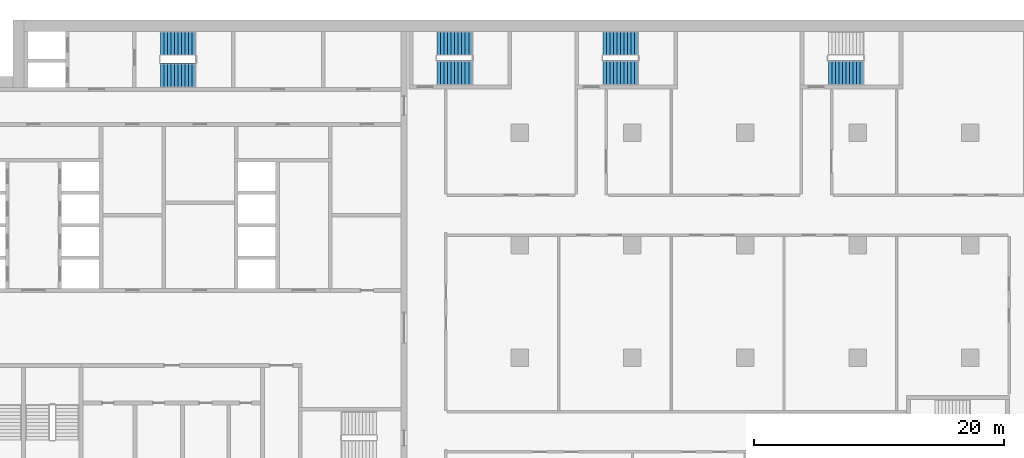
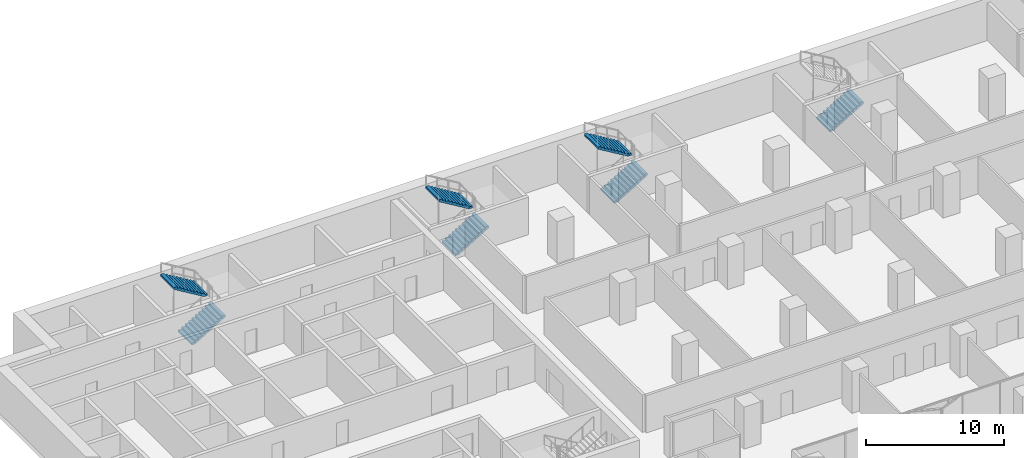
# One storey, part 21 of 28: 7 stair flights, 4 elements without a shape of their own.
"""IFC4 building model written with IfcOpenShell, lengths in metres."""

from ifc_helpers import new_model, si_unit, direction, frame, origin, place, context, subcontext, project, spatial, polyline, outline, extrude, material, type_object, element, aggregate, save


model = new_model("IFC4")

# Units and contexts
model_context = context("Model", 3, precision=1e-05, world=origin(), true_north=direction((0.0, 1.0)))
body_context = subcontext(model_context, "Body", "Model", "MODEL_VIEW")
ifc_project = project(units=[si_unit("LENGTHUNIT", "METRE"), si_unit("AREAUNIT", "SQUARE_METRE"), si_unit("VOLUMEUNIT", "CUBIC_METRE"), si_unit("PLANEANGLEUNIT", "RADIAN"), si_unit("MASSUNIT", "GRAM", prefix="KILO")], contexts=[model_context])

# Site, building, storey
site_placement = place(None, origin())
site = spatial("IfcSite", under=ifc_project, at=site_placement, CompositionType="ELEMENT")
building_placement = place(site_placement, origin())
building = spatial("IfcBuilding", under=site, at=building_placement, Name="Hunhe Ridgeline Campus", CompositionType="ELEMENT")
storey_placement = place(building_placement, frame((0.0, 0.0, 43.199951171875)))
storey = spatial("IfcBuildingStorey", under=building, at=storey_placement, Name="L09", CompositionType="ELEMENT", Elevation=43.199951171875)

# Stair, stair flights
ifc_material = material(Name="Concrete C40", Category="concrete")
stair_type = type_object("IfcStairType", Name="Reinforced concrete dog-leg stair 1950 Concrete C40", PredefinedType="HALF_TURN_STAIR", material=ifc_material)
stair_1_placement = place(storey_placement, origin())
stair_1 = element("IfcStair", 1, at=stair_1_placement, inside=storey, type_object=stair_type, Name="L09 S1", PredefinedType="HALF_TURN_STAIR")
stair_flight_type = type_object("IfcStairFlightType", Name="Reinforced concrete stair flight 1950 Concrete C40", PredefinedType="STRAIGHT", material=ifc_material)
stair_flight_1_placement = place(storey_placement, frame((16.300048828125, 94.574951171875, 0.0), z_axis=(0.0, 0.0, 1.0), x_axis=(1.0, 0.0, 0.0)))
stair_flight_1 = element("IfcStairFlight", 2, at=stair_flight_1_placement, type_object=stair_flight_type, Name="ST1 flight 1", NumberOfRisers=11, NumberOfTreads=10, PredefinedType="STRAIGHT", RiserHeight=0.168181818, TreadLength=0.28, context=body_context, shape_type="SweptSolid", body=[
    extrude(outline(polyline([(0.0, 0.0), (0.0, 0.168212890625), (0.280029296875, 0.168212890625), (0.280029296875, 0.33642578125), (0.56005859375, 0.33642578125), (0.56005859375, 0.504638671875), (0.840087890625, 0.504638671875), (0.840087890625, 0.672607421875), (1.1201171875, 0.672607421875), (1.1201171875, 0.8408203125), (1.39990234375, 0.8408203125), (1.39990234375, 1.009033203125), (1.679931640625, 1.009033203125), (1.679931640625, 1.17724609375), (1.9599609375, 1.17724609375), (1.9599609375, 1.345458984375), (2.239990234375, 1.345458984375), (2.239990234375, 1.513671875), (2.52001953125, 1.513671875), (2.52001953125, 1.681884765625), (2.800048828125, 1.681884765625), (2.800048828125, 1.85009765625), (2.800048828125, 1.5068359375), (0.291015625, 0.0), (0.0, 0.0)])), frame((0.0, 0.97509765625, 0.0), z_axis=(0.0, -1.0, 0.0), x_axis=(1.0, 0.0, 0.0)), (0.0, 0.0, 1.0), 1.949951171875),
    extrude(outline(polyline([(0.030029296875, 0.030029296875), (0.030029296875, 0.13818359375), (0.31005859375, 0.13818359375), (0.31005859375, 0.306396484375), (0.590087890625, 0.306396484375), (0.590087890625, 0.474609375), (0.8701171875, 0.474609375), (0.8701171875, 0.642578125), (1.14990234375, 0.642578125), (1.14990234375, 0.810791015625), (1.429931640625, 0.810791015625), (1.429931640625, 0.97900390625), (1.7099609375, 0.97900390625), (1.7099609375, 1.147216796875), (1.989990234375, 1.147216796875), (1.989990234375, 1.3154296875), (2.27001953125, 1.3154296875), (2.27001953125, 1.483642578125), (2.550048828125, 1.483642578125), (2.550048828125, 1.65185546875), (2.77001953125, 1.65185546875), (2.77001953125, 1.52392578125), (0.28271484375, 0.030029296875), (0.030029296875, 0.030029296875)])), frame((0.0, -0.070068359375, 0.0), z_axis=(0.0, -1.0, 0.0), x_axis=(1.0, 0.0, 0.0)), (0.0, 0.0, 1.0), 0.019775390625),
    extrude(outline(polyline([(0.030029296875, 0.030029296875), (0.030029296875, 0.13818359375), (0.31005859375, 0.13818359375), (0.31005859375, 0.306396484375), (0.590087890625, 0.306396484375), (0.590087890625, 0.474609375), (0.8701171875, 0.474609375), (0.8701171875, 0.642578125), (1.14990234375, 0.642578125), (1.14990234375, 0.810791015625), (1.429931640625, 0.810791015625), (1.429931640625, 0.97900390625), (1.7099609375, 0.97900390625), (1.7099609375, 1.147216796875), (1.989990234375, 1.147216796875), (1.989990234375, 1.3154296875), (2.27001953125, 1.3154296875), (2.27001953125, 1.483642578125), (2.550048828125, 1.483642578125), (2.550048828125, 1.65185546875), (2.77001953125, 1.65185546875), (2.77001953125, 1.52392578125), (0.28271484375, 0.030029296875), (0.030029296875, 0.030029296875)])), frame((0.0, 0.010009765625, 0.0), z_axis=(0.0, -1.0, 0.0), x_axis=(1.0, 0.0, 0.0)), (0.0, 0.0, 1.0), 0.019775390625),
    extrude(outline(polyline([(0.030029296875, 0.030029296875), (0.030029296875, 0.13818359375), (0.31005859375, 0.13818359375), (0.31005859375, 0.306396484375), (0.590087890625, 0.306396484375), (0.590087890625, 0.474609375), (0.8701171875, 0.474609375), (0.8701171875, 0.642578125), (1.14990234375, 0.642578125), (1.14990234375, 0.810791015625), (1.429931640625, 0.810791015625), (1.429931640625, 0.97900390625), (1.7099609375, 0.97900390625), (1.7099609375, 1.147216796875), (1.989990234375, 1.147216796875), (1.989990234375, 1.3154296875), (2.27001953125, 1.3154296875), (2.27001953125, 1.483642578125), (2.550048828125, 1.483642578125), (2.550048828125, 1.65185546875), (2.77001953125, 1.65185546875), (2.77001953125, 1.52392578125), (0.28271484375, 0.030029296875), (0.030029296875, 0.030029296875)])), frame((0.0, 0.090087890625, 0.0), z_axis=(0.0, -1.0, 0.0), x_axis=(1.0, 0.0, 0.0)), (0.0, 0.0, 1.0), 0.019775390625),
])
stair_flight_2_placement = place(storey_placement, frame((19.10009765625, 97.125, 1.85009765625), z_axis=(0.0, 0.0, 1.0), x_axis=(-1.0, 0.0, 0.0)))
stair_flight_2 = element("IfcStairFlight", 3, at=stair_flight_2_placement, type_object=stair_flight_type, Name="ST1 flight 2", NumberOfRisers=11, NumberOfTreads=10, PredefinedType="STRAIGHT", RiserHeight=0.168181818, TreadLength=0.28, context=body_context, shape_type="SweptSolid", body=[
    extrude(outline(polyline([(0.0, 0.0), (0.0, 0.168212890625), (0.280029296875, 0.168212890625), (0.280029296875, 0.33642578125), (0.56005859375, 0.33642578125), (0.56005859375, 0.504638671875), (0.840087890625, 0.504638671875), (0.840087890625, 0.672607421875), (1.1201171875, 0.672607421875), (1.1201171875, 0.8408203125), (1.39990234375, 0.8408203125), (1.39990234375, 1.009033203125), (1.679931640625, 1.009033203125), (1.679931640625, 1.17724609375), (1.9599609375, 1.17724609375), (1.9599609375, 1.345458984375), (2.239990234375, 1.345458984375), (2.239990234375, 1.513671875), (2.52001953125, 1.513671875), (2.52001953125, 1.681884765625), (2.800048828125, 1.681884765625), (2.800048828125, 1.85009765625), (2.800048828125, 1.5068359375), (0.291015625, 0.0), (0.0, 0.0)])), frame((0.0, 0.97509765625, 0.0), z_axis=(0.0, -1.0, 0.0), x_axis=(1.0, 0.0, 0.0)), (0.0, 0.0, 1.0), 1.949951171875),
    extrude(outline(polyline([(0.030029296875, 0.030029296875), (0.030029296875, 0.13818359375), (0.31005859375, 0.13818359375), (0.31005859375, 0.306396484375), (0.590087890625, 0.306396484375), (0.590087890625, 0.474609375), (0.8701171875, 0.474609375), (0.8701171875, 0.642578125), (1.14990234375, 0.642578125), (1.14990234375, 0.810791015625), (1.429931640625, 0.810791015625), (1.429931640625, 0.97900390625), (1.7099609375, 0.97900390625), (1.7099609375, 1.147216796875), (1.989990234375, 1.147216796875), (1.989990234375, 1.3154296875), (2.27001953125, 1.3154296875), (2.27001953125, 1.483642578125), (2.550048828125, 1.483642578125), (2.550048828125, 1.65185546875), (2.77001953125, 1.65185546875), (2.77001953125, 1.52392578125), (0.28271484375, 0.030029296875), (0.030029296875, 0.030029296875)])), frame((0.0, -0.070068359375, 0.0), z_axis=(0.0, -1.0, 0.0), x_axis=(1.0, 0.0, 0.0)), (0.0, 0.0, 1.0), 0.019775390625),
    extrude(outline(polyline([(0.030029296875, 0.030029296875), (0.030029296875, 0.13818359375), (0.31005859375, 0.13818359375), (0.31005859375, 0.306396484375), (0.590087890625, 0.306396484375), (0.590087890625, 0.474609375), (0.8701171875, 0.474609375), (0.8701171875, 0.642578125), (1.14990234375, 0.642578125), (1.14990234375, 0.810791015625), (1.429931640625, 0.810791015625), (1.429931640625, 0.97900390625), (1.7099609375, 0.97900390625), (1.7099609375, 1.147216796875), (1.989990234375, 1.147216796875), (1.989990234375, 1.3154296875), (2.27001953125, 1.3154296875), (2.27001953125, 1.483642578125), (2.550048828125, 1.483642578125), (2.550048828125, 1.65185546875), (2.77001953125, 1.65185546875), (2.77001953125, 1.52392578125), (0.28271484375, 0.030029296875), (0.030029296875, 0.030029296875)])), frame((0.0, 0.010009765625, 0.0), z_axis=(0.0, -1.0, 0.0), x_axis=(1.0, 0.0, 0.0)), (0.0, 0.0, 1.0), 0.019775390625),
    extrude(outline(polyline([(0.030029296875, 0.030029296875), (0.030029296875, 0.13818359375), (0.31005859375, 0.13818359375), (0.31005859375, 0.306396484375), (0.590087890625, 0.306396484375), (0.590087890625, 0.474609375), (0.8701171875, 0.474609375), (0.8701171875, 0.642578125), (1.14990234375, 0.642578125), (1.14990234375, 0.810791015625), (1.429931640625, 0.810791015625), (1.429931640625, 0.97900390625), (1.7099609375, 0.97900390625), (1.7099609375, 1.147216796875), (1.989990234375, 1.147216796875), (1.989990234375, 1.3154296875), (2.27001953125, 1.3154296875), (2.27001953125, 1.483642578125), (2.550048828125, 1.483642578125), (2.550048828125, 1.65185546875), (2.77001953125, 1.65185546875), (2.77001953125, 1.52392578125), (0.28271484375, 0.030029296875), (0.030029296875, 0.030029296875)])), frame((0.0, 0.090087890625, 0.0), z_axis=(0.0, -1.0, 0.0), x_axis=(1.0, 0.0, 0.0)), (0.0, 0.0, 1.0), 0.019775390625),
])
aggregate(stair_1, [stair_flight_1, stair_flight_2])

stair_2_placement = place(storey_placement, origin())
stair_2 = element("IfcStair", 4, at=stair_2_placement, inside=storey, type_object=stair_type, Name="L09 E1", PredefinedType="HALF_TURN_STAIR")
stair_flight_3_placement = place(storey_placement, frame((38.39990234375, 94.77490234375, 0.0), z_axis=(0.0, 0.0, 1.0), x_axis=(1.0, 0.0, 0.0)))
stair_flight_3 = element("IfcStairFlight", 5, at=stair_flight_3_placement, type_object=stair_flight_type, Name="ST5 flight 1", NumberOfRisers=11, NumberOfTreads=10, PredefinedType="STRAIGHT", RiserHeight=0.168181818, TreadLength=0.28, context=body_context, shape_type="SweptSolid", body=[
    extrude(outline(polyline([(0.0, 0.0), (0.0, 0.168212890625), (0.280029296875, 0.168212890625), (0.280029296875, 0.33642578125), (0.56005859375, 0.33642578125), (0.56005859375, 0.504638671875), (0.840087890625, 0.504638671875), (0.840087890625, 0.672607421875), (1.1201171875, 0.672607421875), (1.1201171875, 0.8408203125), (1.39990234375, 0.8408203125), (1.39990234375, 1.009033203125), (1.679931640625, 1.009033203125), (1.679931640625, 1.17724609375), (1.9599609375, 1.17724609375), (1.9599609375, 1.345458984375), (2.239990234375, 1.345458984375), (2.239990234375, 1.513671875), (2.52001953125, 1.513671875), (2.52001953125, 1.681884765625), (2.800048828125, 1.681884765625), (2.800048828125, 1.85009765625), (2.800048828125, 1.5068359375), (0.291015625, 0.0), (0.0, 0.0)])), frame((0.0, 0.97509765625, 0.0), z_axis=(0.0, -1.0, 0.0), x_axis=(1.0, 0.0, 0.0)), (0.0, 0.0, 1.0), 1.949951171875),
    extrude(outline(polyline([(0.030029296875, 0.030029296875), (0.030029296875, 0.13818359375), (0.31005859375, 0.13818359375), (0.31005859375, 0.306396484375), (0.590087890625, 0.306396484375), (0.590087890625, 0.474609375), (0.8701171875, 0.474609375), (0.8701171875, 0.642578125), (1.14990234375, 0.642578125), (1.14990234375, 0.810791015625), (1.429931640625, 0.810791015625), (1.429931640625, 0.97900390625), (1.7099609375, 0.97900390625), (1.7099609375, 1.147216796875), (1.989990234375, 1.147216796875), (1.989990234375, 1.3154296875), (2.27001953125, 1.3154296875), (2.27001953125, 1.483642578125), (2.550048828125, 1.483642578125), (2.550048828125, 1.65185546875), (2.77001953125, 1.65185546875), (2.77001953125, 1.52392578125), (0.28271484375, 0.030029296875), (0.030029296875, 0.030029296875)])), frame((0.0, -0.070068359375, 0.0), z_axis=(0.0, -1.0, 0.0), x_axis=(1.0, 0.0, 0.0)), (0.0, 0.0, 1.0), 0.019775390625),
    extrude(outline(polyline([(0.030029296875, 0.030029296875), (0.030029296875, 0.13818359375), (0.31005859375, 0.13818359375), (0.31005859375, 0.306396484375), (0.590087890625, 0.306396484375), (0.590087890625, 0.474609375), (0.8701171875, 0.474609375), (0.8701171875, 0.642578125), (1.14990234375, 0.642578125), (1.14990234375, 0.810791015625), (1.429931640625, 0.810791015625), (1.429931640625, 0.97900390625), (1.7099609375, 0.97900390625), (1.7099609375, 1.147216796875), (1.989990234375, 1.147216796875), (1.989990234375, 1.3154296875), (2.27001953125, 1.3154296875), (2.27001953125, 1.483642578125), (2.550048828125, 1.483642578125), (2.550048828125, 1.65185546875), (2.77001953125, 1.65185546875), (2.77001953125, 1.52392578125), (0.28271484375, 0.030029296875), (0.030029296875, 0.030029296875)])), frame((0.0, 0.010009765625, 0.0), z_axis=(0.0, -1.0, 0.0), x_axis=(1.0, 0.0, 0.0)), (0.0, 0.0, 1.0), 0.019775390625),
    extrude(outline(polyline([(0.030029296875, 0.030029296875), (0.030029296875, 0.13818359375), (0.31005859375, 0.13818359375), (0.31005859375, 0.306396484375), (0.590087890625, 0.306396484375), (0.590087890625, 0.474609375), (0.8701171875, 0.474609375), (0.8701171875, 0.642578125), (1.14990234375, 0.642578125), (1.14990234375, 0.810791015625), (1.429931640625, 0.810791015625), (1.429931640625, 0.97900390625), (1.7099609375, 0.97900390625), (1.7099609375, 1.147216796875), (1.989990234375, 1.147216796875), (1.989990234375, 1.3154296875), (2.27001953125, 1.3154296875), (2.27001953125, 1.483642578125), (2.550048828125, 1.483642578125), (2.550048828125, 1.65185546875), (2.77001953125, 1.65185546875), (2.77001953125, 1.52392578125), (0.28271484375, 0.030029296875), (0.030029296875, 0.030029296875)])), frame((0.0, 0.090087890625, 0.0), z_axis=(0.0, -1.0, 0.0), x_axis=(1.0, 0.0, 0.0)), (0.0, 0.0, 1.0), 0.019775390625),
])
stair_flight_4_placement = place(storey_placement, frame((41.199951171875, 97.125, 1.85009765625), z_axis=(0.0, 0.0, 1.0), x_axis=(-1.0, 0.0, 0.0)))
stair_flight_4 = element("IfcStairFlight", 6, at=stair_flight_4_placement, type_object=stair_flight_type, Name="ST5 flight 2", NumberOfRisers=11, NumberOfTreads=10, PredefinedType="STRAIGHT", RiserHeight=0.168181818, TreadLength=0.28, context=body_context, shape_type="SweptSolid", body=[
    extrude(outline(polyline([(0.0, 0.0), (0.0, 0.168212890625), (0.280029296875, 0.168212890625), (0.280029296875, 0.33642578125), (0.56005859375, 0.33642578125), (0.56005859375, 0.504638671875), (0.840087890625, 0.504638671875), (0.840087890625, 0.672607421875), (1.1201171875, 0.672607421875), (1.1201171875, 0.8408203125), (1.39990234375, 0.8408203125), (1.39990234375, 1.009033203125), (1.679931640625, 1.009033203125), (1.679931640625, 1.17724609375), (1.9599609375, 1.17724609375), (1.9599609375, 1.345458984375), (2.239990234375, 1.345458984375), (2.239990234375, 1.513671875), (2.52001953125, 1.513671875), (2.52001953125, 1.681884765625), (2.800048828125, 1.681884765625), (2.800048828125, 1.85009765625), (2.800048828125, 1.5068359375), (0.291015625, 0.0), (0.0, 0.0)])), frame((0.0, 0.97509765625, 0.0), z_axis=(0.0, -1.0, 0.0), x_axis=(1.0, 0.0, 0.0)), (0.0, 0.0, 1.0), 1.949951171875),
    extrude(outline(polyline([(0.030029296875, 0.030029296875), (0.030029296875, 0.13818359375), (0.31005859375, 0.13818359375), (0.31005859375, 0.306396484375), (0.590087890625, 0.306396484375), (0.590087890625, 0.474609375), (0.8701171875, 0.474609375), (0.8701171875, 0.642578125), (1.14990234375, 0.642578125), (1.14990234375, 0.810791015625), (1.429931640625, 0.810791015625), (1.429931640625, 0.97900390625), (1.7099609375, 0.97900390625), (1.7099609375, 1.147216796875), (1.989990234375, 1.147216796875), (1.989990234375, 1.3154296875), (2.27001953125, 1.3154296875), (2.27001953125, 1.483642578125), (2.550048828125, 1.483642578125), (2.550048828125, 1.65185546875), (2.77001953125, 1.65185546875), (2.77001953125, 1.52392578125), (0.28271484375, 0.030029296875), (0.030029296875, 0.030029296875)])), frame((0.0, -0.070068359375, 0.0), z_axis=(0.0, -1.0, 0.0), x_axis=(1.0, 0.0, 0.0)), (0.0, 0.0, 1.0), 0.019775390625),
    extrude(outline(polyline([(0.030029296875, 0.030029296875), (0.030029296875, 0.13818359375), (0.31005859375, 0.13818359375), (0.31005859375, 0.306396484375), (0.590087890625, 0.306396484375), (0.590087890625, 0.474609375), (0.8701171875, 0.474609375), (0.8701171875, 0.642578125), (1.14990234375, 0.642578125), (1.14990234375, 0.810791015625), (1.429931640625, 0.810791015625), (1.429931640625, 0.97900390625), (1.7099609375, 0.97900390625), (1.7099609375, 1.147216796875), (1.989990234375, 1.147216796875), (1.989990234375, 1.3154296875), (2.27001953125, 1.3154296875), (2.27001953125, 1.483642578125), (2.550048828125, 1.483642578125), (2.550048828125, 1.65185546875), (2.77001953125, 1.65185546875), (2.77001953125, 1.52392578125), (0.28271484375, 0.030029296875), (0.030029296875, 0.030029296875)])), frame((0.0, 0.010009765625, 0.0), z_axis=(0.0, -1.0, 0.0), x_axis=(1.0, 0.0, 0.0)), (0.0, 0.0, 1.0), 0.019775390625),
    extrude(outline(polyline([(0.030029296875, 0.030029296875), (0.030029296875, 0.13818359375), (0.31005859375, 0.13818359375), (0.31005859375, 0.306396484375), (0.590087890625, 0.306396484375), (0.590087890625, 0.474609375), (0.8701171875, 0.474609375), (0.8701171875, 0.642578125), (1.14990234375, 0.642578125), (1.14990234375, 0.810791015625), (1.429931640625, 0.810791015625), (1.429931640625, 0.97900390625), (1.7099609375, 0.97900390625), (1.7099609375, 1.147216796875), (1.989990234375, 1.147216796875), (1.989990234375, 1.3154296875), (2.27001953125, 1.3154296875), (2.27001953125, 1.483642578125), (2.550048828125, 1.483642578125), (2.550048828125, 1.65185546875), (2.77001953125, 1.65185546875), (2.77001953125, 1.52392578125), (0.28271484375, 0.030029296875), (0.030029296875, 0.030029296875)])), frame((0.0, 0.090087890625, 0.0), z_axis=(0.0, -1.0, 0.0), x_axis=(1.0, 0.0, 0.0)), (0.0, 0.0, 1.0), 0.019775390625),
])
aggregate(stair_2, [stair_flight_3, stair_flight_4])

stair_3_placement = place(storey_placement, origin())
stair_3 = element("IfcStair", 7, at=stair_3_placement, inside=storey, type_object=stair_type, Name="L09 E2", PredefinedType="HALF_TURN_STAIR")
stair_flight_5_placement = place(storey_placement, frame((51.64990234375, 94.77490234375, 0.0), z_axis=(0.0, 0.0, 1.0), x_axis=(1.0, 0.0, 0.0)))
stair_flight_5 = element("IfcStairFlight", 8, at=stair_flight_5_placement, type_object=stair_flight_type, Name="ST6 flight 1", NumberOfRisers=11, NumberOfTreads=10, PredefinedType="STRAIGHT", RiserHeight=0.168181818, TreadLength=0.28, context=body_context, shape_type="SweptSolid", body=[
    extrude(outline(polyline([(0.0, 0.0), (0.0, 0.168212890625), (0.280029296875, 0.168212890625), (0.280029296875, 0.33642578125), (0.56005859375, 0.33642578125), (0.56005859375, 0.504638671875), (0.840087890625, 0.504638671875), (0.840087890625, 0.672607421875), (1.1201171875, 0.672607421875), (1.1201171875, 0.8408203125), (1.39990234375, 0.8408203125), (1.39990234375, 1.009033203125), (1.679931640625, 1.009033203125), (1.679931640625, 1.17724609375), (1.9599609375, 1.17724609375), (1.9599609375, 1.345458984375), (2.239990234375, 1.345458984375), (2.239990234375, 1.513671875), (2.52001953125, 1.513671875), (2.52001953125, 1.681884765625), (2.800048828125, 1.681884765625), (2.800048828125, 1.85009765625), (2.800048828125, 1.5068359375), (0.291015625, 0.0), (0.0, 0.0)])), frame((0.0, 0.97509765625, 0.0), z_axis=(0.0, -1.0, 0.0), x_axis=(1.0, 0.0, 0.0)), (0.0, 0.0, 1.0), 1.949951171875),
    extrude(outline(polyline([(0.030029296875, 0.030029296875), (0.030029296875, 0.13818359375), (0.31005859375, 0.13818359375), (0.31005859375, 0.306396484375), (0.590087890625, 0.306396484375), (0.590087890625, 0.474609375), (0.8701171875, 0.474609375), (0.8701171875, 0.642578125), (1.14990234375, 0.642578125), (1.14990234375, 0.810791015625), (1.429931640625, 0.810791015625), (1.429931640625, 0.97900390625), (1.7099609375, 0.97900390625), (1.7099609375, 1.147216796875), (1.989990234375, 1.147216796875), (1.989990234375, 1.3154296875), (2.27001953125, 1.3154296875), (2.27001953125, 1.483642578125), (2.550048828125, 1.483642578125), (2.550048828125, 1.65185546875), (2.77001953125, 1.65185546875), (2.77001953125, 1.52392578125), (0.28271484375, 0.030029296875), (0.030029296875, 0.030029296875)])), frame((0.0, -0.070068359375, 0.0), z_axis=(0.0, -1.0, 0.0), x_axis=(1.0, 0.0, 0.0)), (0.0, 0.0, 1.0), 0.019775390625),
    extrude(outline(polyline([(0.030029296875, 0.030029296875), (0.030029296875, 0.13818359375), (0.31005859375, 0.13818359375), (0.31005859375, 0.306396484375), (0.590087890625, 0.306396484375), (0.590087890625, 0.474609375), (0.8701171875, 0.474609375), (0.8701171875, 0.642578125), (1.14990234375, 0.642578125), (1.14990234375, 0.810791015625), (1.429931640625, 0.810791015625), (1.429931640625, 0.97900390625), (1.7099609375, 0.97900390625), (1.7099609375, 1.147216796875), (1.989990234375, 1.147216796875), (1.989990234375, 1.3154296875), (2.27001953125, 1.3154296875), (2.27001953125, 1.483642578125), (2.550048828125, 1.483642578125), (2.550048828125, 1.65185546875), (2.77001953125, 1.65185546875), (2.77001953125, 1.52392578125), (0.28271484375, 0.030029296875), (0.030029296875, 0.030029296875)])), frame((0.0, 0.010009765625, 0.0), z_axis=(0.0, -1.0, 0.0), x_axis=(1.0, 0.0, 0.0)), (0.0, 0.0, 1.0), 0.019775390625),
    extrude(outline(polyline([(0.030029296875, 0.030029296875), (0.030029296875, 0.13818359375), (0.31005859375, 0.13818359375), (0.31005859375, 0.306396484375), (0.590087890625, 0.306396484375), (0.590087890625, 0.474609375), (0.8701171875, 0.474609375), (0.8701171875, 0.642578125), (1.14990234375, 0.642578125), (1.14990234375, 0.810791015625), (1.429931640625, 0.810791015625), (1.429931640625, 0.97900390625), (1.7099609375, 0.97900390625), (1.7099609375, 1.147216796875), (1.989990234375, 1.147216796875), (1.989990234375, 1.3154296875), (2.27001953125, 1.3154296875), (2.27001953125, 1.483642578125), (2.550048828125, 1.483642578125), (2.550048828125, 1.65185546875), (2.77001953125, 1.65185546875), (2.77001953125, 1.52392578125), (0.28271484375, 0.030029296875), (0.030029296875, 0.030029296875)])), frame((0.0, 0.090087890625, 0.0), z_axis=(0.0, -1.0, 0.0), x_axis=(1.0, 0.0, 0.0)), (0.0, 0.0, 1.0), 0.019775390625),
])
stair_flight_6_placement = place(storey_placement, frame((54.449951171875, 97.125, 1.85009765625), z_axis=(0.0, 0.0, 1.0), x_axis=(-1.0, 0.0, 0.0)))
stair_flight_6 = element("IfcStairFlight", 9, at=stair_flight_6_placement, type_object=stair_flight_type, Name="ST6 flight 2", NumberOfRisers=11, NumberOfTreads=10, PredefinedType="STRAIGHT", RiserHeight=0.168181818, TreadLength=0.28, context=body_context, shape_type="SweptSolid", body=[
    extrude(outline(polyline([(0.0, 0.0), (0.0, 0.168212890625), (0.280029296875, 0.168212890625), (0.280029296875, 0.33642578125), (0.56005859375, 0.33642578125), (0.56005859375, 0.504638671875), (0.840087890625, 0.504638671875), (0.840087890625, 0.672607421875), (1.1201171875, 0.672607421875), (1.1201171875, 0.8408203125), (1.39990234375, 0.8408203125), (1.39990234375, 1.009033203125), (1.679931640625, 1.009033203125), (1.679931640625, 1.17724609375), (1.9599609375, 1.17724609375), (1.9599609375, 1.345458984375), (2.239990234375, 1.345458984375), (2.239990234375, 1.513671875), (2.52001953125, 1.513671875), (2.52001953125, 1.681884765625), (2.800048828125, 1.681884765625), (2.800048828125, 1.85009765625), (2.800048828125, 1.5068359375), (0.291015625, 0.0), (0.0, 0.0)])), frame((0.0, 0.97509765625, 0.0), z_axis=(0.0, -1.0, 0.0), x_axis=(1.0, 0.0, 0.0)), (0.0, 0.0, 1.0), 1.949951171875),
    extrude(outline(polyline([(0.030029296875, 0.030029296875), (0.030029296875, 0.13818359375), (0.31005859375, 0.13818359375), (0.31005859375, 0.306396484375), (0.590087890625, 0.306396484375), (0.590087890625, 0.474609375), (0.8701171875, 0.474609375), (0.8701171875, 0.642578125), (1.14990234375, 0.642578125), (1.14990234375, 0.810791015625), (1.429931640625, 0.810791015625), (1.429931640625, 0.97900390625), (1.7099609375, 0.97900390625), (1.7099609375, 1.147216796875), (1.989990234375, 1.147216796875), (1.989990234375, 1.3154296875), (2.27001953125, 1.3154296875), (2.27001953125, 1.483642578125), (2.550048828125, 1.483642578125), (2.550048828125, 1.65185546875), (2.77001953125, 1.65185546875), (2.77001953125, 1.52392578125), (0.28271484375, 0.030029296875), (0.030029296875, 0.030029296875)])), frame((0.0, -0.070068359375, 0.0), z_axis=(0.0, -1.0, 0.0), x_axis=(1.0, 0.0, 0.0)), (0.0, 0.0, 1.0), 0.019775390625),
    extrude(outline(polyline([(0.030029296875, 0.030029296875), (0.030029296875, 0.13818359375), (0.31005859375, 0.13818359375), (0.31005859375, 0.306396484375), (0.590087890625, 0.306396484375), (0.590087890625, 0.474609375), (0.8701171875, 0.474609375), (0.8701171875, 0.642578125), (1.14990234375, 0.642578125), (1.14990234375, 0.810791015625), (1.429931640625, 0.810791015625), (1.429931640625, 0.97900390625), (1.7099609375, 0.97900390625), (1.7099609375, 1.147216796875), (1.989990234375, 1.147216796875), (1.989990234375, 1.3154296875), (2.27001953125, 1.3154296875), (2.27001953125, 1.483642578125), (2.550048828125, 1.483642578125), (2.550048828125, 1.65185546875), (2.77001953125, 1.65185546875), (2.77001953125, 1.52392578125), (0.28271484375, 0.030029296875), (0.030029296875, 0.030029296875)])), frame((0.0, 0.010009765625, 0.0), z_axis=(0.0, -1.0, 0.0), x_axis=(1.0, 0.0, 0.0)), (0.0, 0.0, 1.0), 0.019775390625),
    extrude(outline(polyline([(0.030029296875, 0.030029296875), (0.030029296875, 0.13818359375), (0.31005859375, 0.13818359375), (0.31005859375, 0.306396484375), (0.590087890625, 0.306396484375), (0.590087890625, 0.474609375), (0.8701171875, 0.474609375), (0.8701171875, 0.642578125), (1.14990234375, 0.642578125), (1.14990234375, 0.810791015625), (1.429931640625, 0.810791015625), (1.429931640625, 0.97900390625), (1.7099609375, 0.97900390625), (1.7099609375, 1.147216796875), (1.989990234375, 1.147216796875), (1.989990234375, 1.3154296875), (2.27001953125, 1.3154296875), (2.27001953125, 1.483642578125), (2.550048828125, 1.483642578125), (2.550048828125, 1.65185546875), (2.77001953125, 1.65185546875), (2.77001953125, 1.52392578125), (0.28271484375, 0.030029296875), (0.030029296875, 0.030029296875)])), frame((0.0, 0.090087890625, 0.0), z_axis=(0.0, -1.0, 0.0), x_axis=(1.0, 0.0, 0.0)), (0.0, 0.0, 1.0), 0.019775390625),
])
aggregate(stair_3, [stair_flight_5, stair_flight_6])

# Stair, stair flight
stair_4_placement = place(storey_placement, origin())
stair_4 = element("IfcStair", 10, at=stair_4_placement, inside=storey, type_object=stair_type, Name="L09 E3", PredefinedType="HALF_TURN_STAIR")
stair_flight_7_placement = place(storey_placement, frame((69.64990234375, 94.77490234375, 0.0), z_axis=(0.0, 0.0, 1.0), x_axis=(1.0, 0.0, 0.0)))
stair_flight_7 = element("IfcStairFlight", 11, at=stair_flight_7_placement, type_object=stair_flight_type, Name="ST7 flight 1", NumberOfRisers=11, NumberOfTreads=10, PredefinedType="STRAIGHT", RiserHeight=0.168181818, TreadLength=0.28, context=body_context, shape_type="SweptSolid", body=[
    extrude(outline(polyline([(0.0, 0.0), (0.0, 0.168212890625), (0.280029296875, 0.168212890625), (0.280029296875, 0.33642578125), (0.56005859375, 0.33642578125), (0.56005859375, 0.504638671875), (0.840087890625, 0.504638671875), (0.840087890625, 0.672607421875), (1.1201171875, 0.672607421875), (1.1201171875, 0.8408203125), (1.39990234375, 0.8408203125), (1.39990234375, 1.009033203125), (1.679931640625, 1.009033203125), (1.679931640625, 1.17724609375), (1.9599609375, 1.17724609375), (1.9599609375, 1.345458984375), (2.239990234375, 1.345458984375), (2.239990234375, 1.513671875), (2.52001953125, 1.513671875), (2.52001953125, 1.681884765625), (2.800048828125, 1.681884765625), (2.800048828125, 1.85009765625), (2.800048828125, 1.5068359375), (0.291015625, 0.0), (0.0, 0.0)])), frame((0.0, 0.97509765625, 0.0), z_axis=(0.0, -1.0, 0.0), x_axis=(1.0, 0.0, 0.0)), (0.0, 0.0, 1.0), 1.949951171875),
    extrude(outline(polyline([(0.030029296875, 0.030029296875), (0.030029296875, 0.13818359375), (0.31005859375, 0.13818359375), (0.31005859375, 0.306396484375), (0.590087890625, 0.306396484375), (0.590087890625, 0.474609375), (0.8701171875, 0.474609375), (0.8701171875, 0.642578125), (1.14990234375, 0.642578125), (1.14990234375, 0.810791015625), (1.429931640625, 0.810791015625), (1.429931640625, 0.97900390625), (1.7099609375, 0.97900390625), (1.7099609375, 1.147216796875), (1.989990234375, 1.147216796875), (1.989990234375, 1.3154296875), (2.27001953125, 1.3154296875), (2.27001953125, 1.483642578125), (2.550048828125, 1.483642578125), (2.550048828125, 1.65185546875), (2.77001953125, 1.65185546875), (2.77001953125, 1.52392578125), (0.28271484375, 0.030029296875), (0.030029296875, 0.030029296875)])), frame((0.0, -0.070068359375, 0.0), z_axis=(0.0, -1.0, 0.0), x_axis=(1.0, 0.0, 0.0)), (0.0, 0.0, 1.0), 0.019775390625),
    extrude(outline(polyline([(0.030029296875, 0.030029296875), (0.030029296875, 0.13818359375), (0.31005859375, 0.13818359375), (0.31005859375, 0.306396484375), (0.590087890625, 0.306396484375), (0.590087890625, 0.474609375), (0.8701171875, 0.474609375), (0.8701171875, 0.642578125), (1.14990234375, 0.642578125), (1.14990234375, 0.810791015625), (1.429931640625, 0.810791015625), (1.429931640625, 0.97900390625), (1.7099609375, 0.97900390625), (1.7099609375, 1.147216796875), (1.989990234375, 1.147216796875), (1.989990234375, 1.3154296875), (2.27001953125, 1.3154296875), (2.27001953125, 1.483642578125), (2.550048828125, 1.483642578125), (2.550048828125, 1.65185546875), (2.77001953125, 1.65185546875), (2.77001953125, 1.52392578125), (0.28271484375, 0.030029296875), (0.030029296875, 0.030029296875)])), frame((0.0, 0.010009765625, 0.0), z_axis=(0.0, -1.0, 0.0), x_axis=(1.0, 0.0, 0.0)), (0.0, 0.0, 1.0), 0.019775390625),
    extrude(outline(polyline([(0.030029296875, 0.030029296875), (0.030029296875, 0.13818359375), (0.31005859375, 0.13818359375), (0.31005859375, 0.306396484375), (0.590087890625, 0.306396484375), (0.590087890625, 0.474609375), (0.8701171875, 0.474609375), (0.8701171875, 0.642578125), (1.14990234375, 0.642578125), (1.14990234375, 0.810791015625), (1.429931640625, 0.810791015625), (1.429931640625, 0.97900390625), (1.7099609375, 0.97900390625), (1.7099609375, 1.147216796875), (1.989990234375, 1.147216796875), (1.989990234375, 1.3154296875), (2.27001953125, 1.3154296875), (2.27001953125, 1.483642578125), (2.550048828125, 1.483642578125), (2.550048828125, 1.65185546875), (2.77001953125, 1.65185546875), (2.77001953125, 1.52392578125), (0.28271484375, 0.030029296875), (0.030029296875, 0.030029296875)])), frame((0.0, 0.090087890625, 0.0), z_axis=(0.0, -1.0, 0.0), x_axis=(1.0, 0.0, 0.0)), (0.0, 0.0, 1.0), 0.019775390625),
])
aggregate(stair_4, [stair_flight_7])

save(model, "model.ifc")
